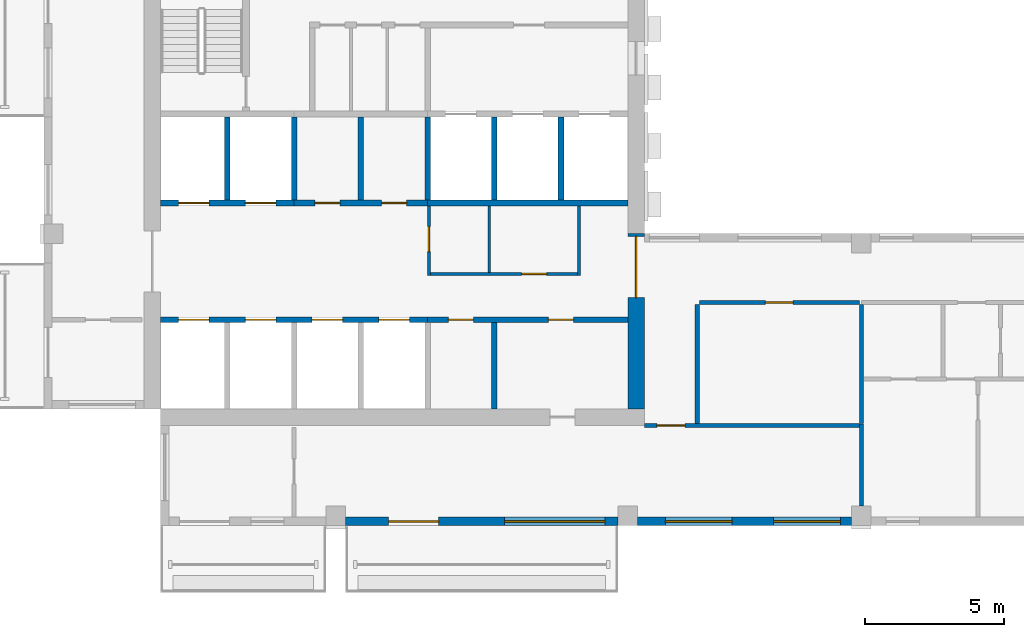
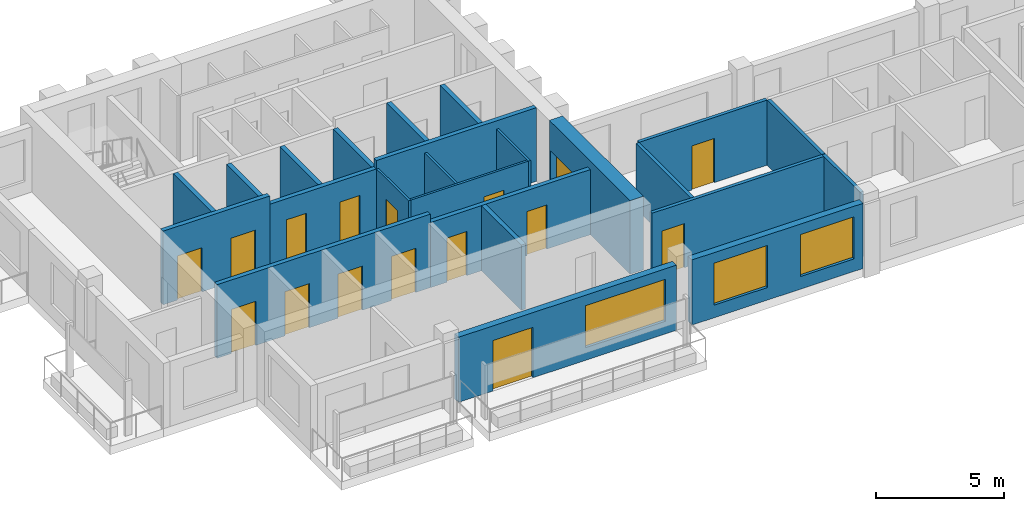
# One storey, part 2 of 9: 24 walls, 16 doors, 3 windows, 19 openings.
"""IFC4 building model written with IfcOpenShell, lengths in metres."""

import ifcopenshell
import ifcopenshell.guid

model = None  # the IFC model being written
_history = None  # IfcOwnerHistory: only IFC2X3 demands one
_inside = {}  # id of a spatial element -> (the spatial element, [elements in it])
_under = {}  # id of a project, library or spatial element -> (it, [spatial elements below it])
_declared = {}  # id of a project -> (the project, [libraries it declares])
_typed = {}  # id of a type object -> (the type object, [elements of that type])
_made_of = {}  # id of a material, layer set ... -> (it, [elements and type objects made of it])


def new_model(schema):
    """Start an empty IFC model of exactly this schema.

    Asked for "IFC4X3", IfcOpenShell would pick the latest addendum, in which some entities
    have other attributes; the version numbers below select the first issue.
    IFC2X3 requires an IfcOwnerHistory on every rooted entity: one is made here for all.
    """
    global model, _history
    if schema == "IFC4X3":
        model = ifcopenshell.file(schema_version=(4, 3, 0, 0))
    else:
        model = ifcopenshell.file(schema=schema)
    _inside.clear()
    _under.clear()
    _declared.clear()
    _typed.clear()
    _made_of.clear()
    _history = None
    if model.schema == "IFC2X3":
        org = make("IfcOrganization", Name="unknown")
        user = make(
            "IfcPersonAndOrganization",
            ThePerson=make("IfcPerson", FamilyName="unknown"),
            TheOrganization=org,
        )
        app = make(
            "IfcApplication",
            ApplicationDeveloper=org,
            Version="unknown",
            ApplicationFullName="unknown",
            ApplicationIdentifier="unknown",
        )
        _history = make(
            "IfcOwnerHistory",
            OwningUser=user,
            OwningApplication=app,
            ChangeAction="ADDED",
            CreationDate=0,
        )
    return model


def make(cls, **values):
    """One entity of the class cls with the attributes given. An attribute that is None is left unset."""
    return model.create_entity(
        cls, **{name: value for name, value in values.items() if value is not None}
    )


def rooted(cls, **values):
    """An entity with a GlobalId (a new one), such as an element, a storey or a relation."""
    return make(cls, GlobalId=ifcopenshell.guid.new(), OwnerHistory=_history, **values)


def si_unit(unit_type, name, prefix=None):
    """IfcSIUnit, for example si_unit("LENGTHUNIT", "METRE", prefix="MILLI")."""
    return make("IfcSIUnit", UnitType=unit_type, Prefix=prefix, Name=name)


def assignment(units):
    """IfcUnitAssignment: the units of a project."""
    return None if units is None else make("IfcUnitAssignment", Units=units)


def point(xyz):
    """IfcCartesianPoint."""
    return None if xyz is None else make("IfcCartesianPoint", Coordinates=xyz)


def direction(xyz):
    """IfcDirection."""
    return None if xyz is None else make("IfcDirection", DirectionRatios=xyz)


def frame(location, z_axis=None, x_axis=None):
    """IfcAxis2Placement3D, a coordinate frame: its origin and axes. An axis left out is left unset."""
    return make(
        "IfcAxis2Placement3D",
        Location=point(location),
        Axis=direction(z_axis),
        RefDirection=direction(x_axis),
    )


def frame_2d(location, x_axis=None):
    """IfcAxis2Placement2D, a coordinate frame in the plane: its origin and x axis."""
    return make(
        "IfcAxis2Placement2D", Location=point(location), RefDirection=direction(x_axis)
    )


def origin():
    """The frame at (0, 0, 0) with its axes left unset."""
    return frame((0.0, 0.0, 0.0))


def place(relative_to, where):
    """IfcLocalPlacement: puts the frame where relative to a parent placement (None: the world)."""
    return make(
        "IfcLocalPlacement", PlacementRelTo=relative_to, RelativePlacement=where
    )


def context(
    kind, dimensions, precision=None, world=None, true_north=None, identifier=None
):
    """IfcGeometricRepresentationContext, for example the 3D "Model" context."""
    return make(
        "IfcGeometricRepresentationContext",
        ContextIdentifier=identifier,
        ContextType=kind,
        CoordinateSpaceDimension=dimensions,
        Precision=precision,
        WorldCoordinateSystem=world,
        TrueNorth=true_north,
    )


def subcontext(parent, identifier, kind, view, scale=None):
    """IfcGeometricRepresentationSubContext, for example "Body" below "Model"."""
    return make(
        "IfcGeometricRepresentationSubContext",
        ContextIdentifier=identifier,
        ContextType=kind,
        ParentContext=parent,
        TargetScale=scale,
        TargetView=view,
    )


def project(units=None, contexts=None):
    """IfcProject with its units and contexts."""
    return rooted(
        "IfcProject",
        Name="project",
        RepresentationContexts=contexts,
        UnitsInContext=assignment(units),
    )


def spatial(cls, under=None, at=None, **own):
    """A site, building, storey or space (cls), placed at a placement, below another one or the project."""
    s = rooted(cls, ObjectPlacement=at, **own)
    if under is not None:
        _under.setdefault(under.id(), (under, []))[1].append(s)
    return s


def profile(cls, at=None, kind="AREA", **sizes):
    """A parametric profile (cls). Its sizes go by their IFC names, for example OverallWidth=200.0."""
    return make(cls, ProfileType=kind, Position=at, **sizes)


def rectangle(**sizes):
    """IfcRectangleProfileDef."""
    return profile("IfcRectangleProfileDef", **sizes)


def extrude(swept, where, along, depth):
    """IfcExtrudedAreaSolid: the profile swept, set in the frame where, extruded along a direction by depth."""
    return make(
        "IfcExtrudedAreaSolid",
        SweptArea=swept,
        Position=where,
        ExtrudedDirection=direction(along),
        Depth=depth,
    )


def shape(context_of_items, identifier, shape_type, items):
    """IfcShapeRepresentation: the items that make up one representation, for example the "Body"."""
    return make(
        "IfcShapeRepresentation",
        ContextOfItems=context_of_items,
        RepresentationIdentifier=identifier,
        RepresentationType=shape_type,
        Items=items,
    )


def source(mapping_origin, context_of_items, identifier, shape_type, items):
    """IfcRepresentationMap: a shape defined once, which mapped items show again and again."""
    return make(
        "IfcRepresentationMap",
        MappingOrigin=mapping_origin,
        MappedRepresentation=shape(context_of_items, identifier, shape_type, items),
    )


def transform(
    local_origin,
    x_axis=None,
    y_axis=None,
    z_axis=None,
    scale=None,
    scale2=None,
    scale3=None,
    uniform=True,
):
    """IfcCartesianTransformationOperator3D, or its non-uniform kind. x_axis, y_axis, z_axis: its Axis1, 2, 3."""
    if uniform:
        return make(
            "IfcCartesianTransformationOperator3D",
            Axis1=direction(x_axis),
            Axis2=direction(y_axis),
            LocalOrigin=point(local_origin),
            Scale=scale,
            Axis3=direction(z_axis),
        )
    return make(
        "IfcCartesianTransformationOperator3DnonUniform",
        Axis1=direction(x_axis),
        Axis2=direction(y_axis),
        LocalOrigin=point(local_origin),
        Scale=scale,
        Axis3=direction(z_axis),
        Scale2=scale2,
        Scale3=scale3,
    )


def mapped(mapping_source, mapping_target):
    """IfcMappedItem: shows the shape of a source again, moved by a transform."""
    return make(
        "IfcMappedItem", MappingSource=mapping_source, MappingTarget=mapping_target
    )


def material(Name=None, Category=None):
    """IfcMaterial."""
    return make("IfcMaterial", Name=Name, Category=Category)


def layer(
    of_material, thickness, ventilated=None, Name=None, Category=None, Priority=None
):
    """IfcMaterialLayer: one layer of a wall or slab, of a material (None: an air gap)."""
    return make(
        "IfcMaterialLayer",
        Material=of_material,
        LayerThickness=thickness,
        IsVentilated=ventilated,
        Name=Name,
        Category=Category,
        Priority=Priority,
    )


def layer_set(layers, Name=None):
    """IfcMaterialLayerSet."""
    return make("IfcMaterialLayerSet", MaterialLayers=layers, LayerSetName=Name)


def made_of(thing, what):
    """Note that an element or type object is made of a material, layer set ...; save() writes the relation."""
    if what is not None:
        _made_of.setdefault(what.id(), (what, []))[1].append(thing)
    return thing


def type_object(cls, material=None, **own):
    """A type object (cls), such as IfcWallType, which elements share."""
    return made_of(rooted(cls, **own), material)


def element(
    cls,
    number,
    at=None,
    inside=None,
    cuts=None,
    type_object=None,
    material=None,
    context=None,
    identifier="Body",
    shape_type=None,
    held_by="IfcProductDefinitionShape",
    body=None,
    shapes=None,
    **own,
):
    """One element of the class cls, such as IfcWall. Its Tag is "e" and its number.

    at: its placement. inside: the storey or other place that contains it. cuts: it is an
    opening in that element (IfcRelVoidsElement). A single representation is given by context,
    identifier, shape_type and body (its items); several are given by shapes. held_by: the class
    of the entity that holds the representations. save() writes the other relations.
    """
    e = rooted(cls, Tag="e%d" % number, ObjectPlacement=at, **own)
    if body is not None:
        shapes = [shape(context, identifier, shape_type, body)]
    if shapes is not None:
        e.Representation = make(held_by, Representations=shapes)
    if inside is not None:
        _inside.setdefault(inside.id(), (inside, []))[1].append(e)
    if cuts is not None:
        rooted(
            "IfcRelVoidsElement", RelatingBuildingElement=cuts, RelatedOpeningElement=e
        )
    if type_object is not None:
        _typed.setdefault(type_object.id(), (type_object, []))[1].append(e)
    return made_of(e, material)


def fill(opening, filler):
    """IfcRelFillsElement: the door or window that sits in an opening."""
    return rooted(
        "IfcRelFillsElement",
        RelatingOpeningElement=opening,
        RelatedBuildingElement=filler,
    )


def aggregate(whole, parts):
    """IfcRelAggregates: a whole, such as a stair, and the parts it consists of."""
    return rooted("IfcRelAggregates", RelatingObject=whole, RelatedObjects=parts)


def save(model, path):
    """Write the relations noted so far, then the file.

    IfcRelAggregates (storeys below a building ...), IfcRelContainedInSpatialStructure (elements
    in a storey), IfcRelDefinesByType, IfcRelAssociatesMaterial and IfcRelDeclares: one each for
    every whole, place, type object, material and project.
    """
    for whole, parts in _under.values():
        aggregate(whole, parts)
    for where, things in _inside.values():
        rooted(
            "IfcRelContainedInSpatialStructure",
            RelatedElements=things,
            RelatingStructure=where,
        )
    for kind, things in _typed.values():
        rooted("IfcRelDefinesByType", RelatedObjects=things, RelatingType=kind)
    for what, things in _made_of.values():
        rooted("IfcRelAssociatesMaterial", RelatedObjects=things, RelatingMaterial=what)
    for by, libraries in _declared.values():
        rooted("IfcRelDeclares", RelatingContext=by, RelatedDefinitions=libraries)
    model.write(path)


model = new_model("IFC4")

# Units and contexts
model_context = context("Model", 3, precision=1e-05, world=origin(), true_north=direction((0.0, 1.0)))
body_context = subcontext(model_context, "Body", "Model", "MODEL_VIEW")
ifc_project = project(units=[si_unit("LENGTHUNIT", "METRE"), si_unit("AREAUNIT", "SQUARE_METRE"), si_unit("VOLUMEUNIT", "CUBIC_METRE"), si_unit("PLANEANGLEUNIT", "RADIAN"), si_unit("MASSUNIT", "GRAM", prefix="KILO")], contexts=[model_context])

# Site, building, storey
site_placement = place(None, origin())
site = spatial("IfcSite", under=ifc_project, at=site_placement, CompositionType="ELEMENT")
building_placement = place(site_placement, origin())
building = spatial("IfcBuilding", under=site, at=building_placement, Name="Aurelian Terraces", CompositionType="ELEMENT")
storey_placement = place(building_placement, frame((0.0, 0.0, 312.5)))
storey = spatial("IfcBuildingStorey", under=building, at=storey_placement, Name="L72", CompositionType="ELEMENT", Elevation=312.5)

# Wall, opening, door
ifc_material_1 = material(Name="Concrete fc' 55 MPa", Category="concrete")
ifc_layer_1 = layer(ifc_material_1, 0.6)
ifc_layer_set_1 = layer_set([ifc_layer_1], Name="CORE WALL 600 FC55")
wall_type_1 = type_object("IfcWallType", Name="CORE WALL 600 FC55", PredefinedType="SHEAR", material=ifc_layer_set_1)
shared_shape_1 = source(origin(), body_context, "Body", "SweptSolid", [
    extrude(rectangle(XDim=6.3, YDim=0.6, at=frame_2d((3.15, 0.0))), origin(), (0.0, 0.0, 1.0), 3.5),
])
wall_1_placement = place(storey_placement, frame((21.3, 4.2, 0.0), z_axis=(0.0, 0.0, 1.0), x_axis=(0.0, 1.0, 0.0)))
wall_1 = element("IfcWall", 1, at=wall_1_placement, inside=storey, type_object=wall_type_1, Name="Core wall E L72", PredefinedType="SHEAR", context=body_context, shape_type="MappedRepresentation", body=[
    mapped(shared_shape_1, transform((0.0, 0.0, 0.0), scale=1.0)),
])
shared_shape_2 = source(origin(), body_context, "Body", "SweptSolid", [
    extrude(rectangle(XDim=2.2, YDim=2.1, at=frame_2d((1.1, 1.05))), frame((0.0, 0.31, 0.0), z_axis=(0.0, -1.0, 0.0), x_axis=(1.0, 0.0, 0.0)), (0.0, 0.0, 1.0), 0.62),
])
opening_1_placement = place(wall_1_placement, frame((4.0, 0.0, 0.0)))
opening_1 = element("IfcOpeningElement", 2, at=opening_1_placement, cuts=wall_1, Name="Opening 67531", PredefinedType="OPENING", context=body_context, shape_type="MappedRepresentation", body=[
    mapped(shared_shape_2, transform((0.0, 0.0, 0.0), scale=1.0)),
])
ifc_material_2 = material(Name="Steel door leaf", Category="steel")
door_type_1 = type_object("IfcDoorType", Name="Core double door 2200x2100", OperationType="DOUBLE_DOOR_SINGLE_SWING", PredefinedType="DOOR", material=ifc_material_2)
shared_shape_3 = source(origin(), body_context, "Body", "SweptSolid", [
    extrude(rectangle(XDim=2.2, YDim=2.1, at=frame_2d((1.1, 1.05))), frame((0.0, 0.025, 0.0), z_axis=(0.0, -1.0, 0.0), x_axis=(1.0, 0.0, 0.0)), (0.0, 0.0, 1.0), 0.05),
])
door_1_placement = place(opening_1_placement, origin())
door_1 = element("IfcDoor", 3, at=door_1_placement, inside=storey, type_object=door_type_1, Name="Core door 67531", OperationType="DOUBLE_DOOR_SINGLE_SWING", OverallHeight=2.1, OverallWidth=2.2, PredefinedType="DOOR", context=body_context, shape_type="MappedRepresentation", body=[
    mapped(shared_shape_3, transform((0.0, 0.0, 0.0), scale=1.0)),
])
fill(opening_1, door_1)

# Wall, openings, windows
ifc_material_3 = material(Name="Terracotta rainscreen cladding", Category="masonry")
ifc_layer_2 = layer(ifc_material_3, 0.3)
ifc_layer_set_2 = layer_set([ifc_layer_2], Name="EW-300")
wall_type_2 = type_object("IfcWallType", Name="EW-300", PredefinedType="STANDARD", material=ifc_layer_set_2)
shared_shape_4 = source(origin(), body_context, "Body", "SweptSolid", [
    extrude(rectangle(XDim=7.7, YDim=0.3, at=frame_2d((3.85, 0.0))), origin(), (0.0, 0.0, 1.0), 3.1),
])
wall_2_placement = place(storey_placement, frame((21.35, 0.15, 0.0), z_axis=(0.0, 0.0, 1.0), x_axis=(1.0, 0.0, 0.0)))
wall_2 = element("IfcWall", 4, at=wall_2_placement, inside=storey, type_object=wall_type_2, Name="External wall L72 F01.3", PredefinedType="STANDARD", context=body_context, shape_type="MappedRepresentation", body=[
    mapped(shared_shape_4, transform((0.0, 0.0, 0.0), scale=1.0)),
])
shared_shape_5 = source(origin(), body_context, "Body", "SweptSolid", [
    extrude(rectangle(XDim=2.4, YDim=2.0, at=frame_2d((1.2, 1.0))), frame((0.0, 0.16, 0.0), z_axis=(0.0, -1.0, 0.0), x_axis=(1.0, 0.0, 0.0)), (0.0, 0.0, 1.0), 0.32),
])
opening_2_placement = place(wall_2_placement, frame((1.0, 0.0, 0.6)))
opening_2 = element("IfcOpeningElement", 5, at=opening_2_placement, cuts=wall_2, Name="Opening W2420", PredefinedType="OPENING", context=body_context, shape_type="MappedRepresentation", body=[
    mapped(shared_shape_5, transform((0.0, 0.0, 0.0), scale=1.0)),
])
opening_3_placement = place(wall_2_placement, frame((4.9, 0.0, 0.6)))
opening_3 = element("IfcOpeningElement", 6, at=opening_3_placement, cuts=wall_2, Name="Opening W2420", PredefinedType="OPENING", context=body_context, shape_type="MappedRepresentation", body=[
    mapped(shared_shape_5, transform((0.0, 0.0, 0.0), scale=1.0)),
])
ifc_material_4 = material(Name="Clear glazing", Category="glass")
window_type_1 = type_object("IfcWindowType", Name="W-2400x2000", PartitioningType="SINGLE_PANEL", PredefinedType="WINDOW", material=ifc_material_4)
shared_shape_6 = source(origin(), body_context, "Body", "SweptSolid", [
    extrude(rectangle(XDim=2.4, YDim=2.0, at=frame_2d((1.2, 1.0))), frame((0.0, 0.03, 0.0), z_axis=(0.0, -1.0, 0.0), x_axis=(1.0, 0.0, 0.0)), (0.0, 0.0, 1.0), 0.06),
])
window_1_placement = place(opening_2_placement, origin())
window_1 = element("IfcWindow", 7, at=window_1_placement, inside=storey, type_object=window_type_1, Name="Window L72 L72-F01-03-1", OverallHeight=2.0, OverallWidth=2.4, PartitioningType="SINGLE_PANEL", PredefinedType="WINDOW", context=body_context, shape_type="MappedRepresentation", body=[
    mapped(shared_shape_6, transform((0.0, 0.0, 0.0), scale=1.0)),
])
fill(opening_2, window_1)
window_2_placement = place(opening_3_placement, origin())
window_2 = element("IfcWindow", 8, at=window_2_placement, inside=storey, type_object=window_type_1, Name="Window L72 L72-F01-03-2", OverallHeight=2.0, OverallWidth=2.4, PartitioningType="SINGLE_PANEL", PredefinedType="WINDOW", context=body_context, shape_type="MappedRepresentation", body=[
    mapped(shared_shape_6, transform((0.0, 0.0, 0.0), scale=1.0)),
])
fill(opening_3, window_2)

# Wall, openings, door, window
shared_shape_7 = source(origin(), body_context, "Body", "SweptSolid", [
    extrude(rectangle(XDim=9.8, YDim=0.3, at=frame_2d((4.9, 0.0))), origin(), (0.0, 0.0, 1.0), 3.1),
])
wall_3_placement = place(storey_placement, frame((10.85, 0.15, 0.0), z_axis=(0.0, 0.0, 1.0), x_axis=(1.0, 0.0, 0.0)))
wall_3 = element("IfcWall", 9, at=wall_3_placement, inside=storey, type_object=wall_type_2, Name="External wall L72 F01.2", PredefinedType="STANDARD", context=body_context, shape_type="MappedRepresentation", body=[
    mapped(shared_shape_7, transform((0.0, 0.0, 0.0), scale=1.0)),
])
shared_shape_8 = source(origin(), body_context, "Body", "SweptSolid", [
    extrude(rectangle(XDim=1.8, YDim=2.4, at=frame_2d((0.9, 1.2))), frame((0.0, 0.16, 0.0), z_axis=(0.0, -1.0, 0.0), x_axis=(1.0, 0.0, 0.0)), (0.0, 0.0, 1.0), 0.32),
])
opening_4_placement = place(wall_3_placement, frame((1.55, 0.0, 0.0)))
opening_4 = element("IfcOpeningElement", 10, at=opening_4_placement, cuts=wall_3, Name="Opening 87202", PredefinedType="OPENING", context=body_context, shape_type="MappedRepresentation", body=[
    mapped(shared_shape_8, transform((0.0, 0.0, 0.0), scale=1.0)),
])
shared_shape_9 = source(origin(), body_context, "Body", "SweptSolid", [
    extrude(rectangle(XDim=3.6, YDim=2.0, at=frame_2d((1.8, 1.0))), frame((0.0, 0.16, 0.0), z_axis=(0.0, -1.0, 0.0), x_axis=(1.0, 0.0, 0.0)), (0.0, 0.0, 1.0), 0.32),
])
opening_5_placement = place(wall_3_placement, frame((5.725, 0.0, 0.6)))
opening_5 = element("IfcOpeningElement", 11, at=opening_5_placement, cuts=wall_3, Name="Opening W3620", PredefinedType="OPENING", context=body_context, shape_type="MappedRepresentation", body=[
    mapped(shared_shape_9, transform((0.0, 0.0, 0.0), scale=1.0)),
])
door_type_2 = type_object("IfcDoorType", Name="BD-1800x2400", OperationType="SLIDING_TO_LEFT", PredefinedType="DOOR", material=ifc_material_4)
shared_shape_10 = source(origin(), body_context, "Body", "SweptSolid", [
    extrude(rectangle(XDim=1.8, YDim=2.4, at=frame_2d((0.9, 1.2))), frame((0.0, 0.025, 0.0), z_axis=(0.0, -1.0, 0.0), x_axis=(1.0, 0.0, 0.0)), (0.0, 0.0, 1.0), 0.05),
])
door_2_placement = place(opening_4_placement, origin())
door_2 = element("IfcDoor", 12, at=door_2_placement, inside=storey, type_object=door_type_2, Name="Balcony door L72 F01.2", OperationType="SLIDING_TO_LEFT", OverallHeight=2.4, OverallWidth=1.8, PredefinedType="DOOR", context=body_context, shape_type="MappedRepresentation", body=[
    mapped(shared_shape_10, transform((0.0, 0.0, 0.0), scale=1.0)),
])
fill(opening_4, door_2)
window_type_2 = type_object("IfcWindowType", Name="W-3600x2000", PartitioningType="SINGLE_PANEL", PredefinedType="WINDOW", material=ifc_material_4)
shared_shape_11 = source(origin(), body_context, "Body", "SweptSolid", [
    extrude(rectangle(XDim=3.6, YDim=2.0, at=frame_2d((1.8, 1.0))), frame((0.0, 0.03, 0.0), z_axis=(0.0, -1.0, 0.0), x_axis=(1.0, 0.0, 0.0)), (0.0, 0.0, 1.0), 0.06),
])
window_3_placement = place(opening_5_placement, origin())
window_3 = element("IfcWindow", 13, at=window_3_placement, inside=storey, type_object=window_type_2, Name="Window L72 L72-F01-02-1", OverallHeight=2.0, OverallWidth=3.6, PartitioningType="SINGLE_PANEL", PredefinedType="WINDOW", context=body_context, shape_type="MappedRepresentation", body=[
    mapped(shared_shape_11, transform((0.0, 0.0, 0.0), scale=1.0)),
])
fill(opening_5, window_3)

# Walls
ifc_material_5 = material(Name="Concrete fc' 40 MPa", Category="concrete")
ifc_layer_3 = layer(ifc_material_5, 0.2)
ifc_layer_set_3 = layer_set([ifc_layer_3], Name="Lift shaft wall 200")
wall_type_3 = type_object("IfcWallType", Name="Lift shaft wall 200", PredefinedType="SOLIDWALL", material=ifc_layer_set_3)
shared_shape_12 = source(origin(), body_context, "Body", "SweptSolid", [
    extrude(rectangle(XDim=3.0, YDim=0.2, at=frame_2d((1.5, 0.0))), origin(), (0.0, 0.0, 1.0), 3.1),
])
for number, where, z_axis, x_axis, name in (
    (14, (9.0, 11.7, 0.0), (0.0, 0.0, 1.0), (0.0, 1.0, 0.0), "L72 core wall CD-B2"),
    (15, (13.8, 11.7, 0.0), (0.0, 0.0, 1.0), (0.0, 1.0, 0.0), "L72 core wall CD-B4"),
):
    element("IfcWall", number, at=place(storey_placement, frame(where, z_axis=z_axis, x_axis=x_axis)), inside=storey, type_object=wall_type_3, Name=name, PredefinedType="SOLIDWALL", context=body_context, shape_type="MappedRepresentation", body=[
        mapped(shared_shape_12, transform((0.0, 0.0, 0.0), scale=1.0)),
    ])
shared_shape_13 = source(origin(), body_context, "Body", "SweptSolid", [
    extrude(rectangle(XDim=3.0, YDim=0.2, at=frame_2d((1.5, 0.0))), origin(), (0.0, 0.0, 1.0), 3.5),
])
for number, where, z_axis, x_axis, name in (
    (16, (6.6, 11.7, 0.0), (0.0, 0.0, 1.0), (0.0, 1.0, 0.0), "L72 core wall CD-B1"),
    (17, (16.2, 11.7, 0.0), (0.0, 0.0, 1.0), (0.0, 1.0, 0.0), "L72 core wall CD-B5"),
    (18, (18.6, 11.7, 0.0), (0.0, 0.0, 1.0), (0.0, 1.0, 0.0), "L72 core wall CD-B6"),
):
    element("IfcWall", number, at=place(storey_placement, frame(where, z_axis=z_axis, x_axis=x_axis)), inside=storey, type_object=wall_type_3, Name=name, PredefinedType="SOLIDWALL", context=body_context, shape_type="MappedRepresentation", body=[
        mapped(shared_shape_13, transform((0.0, 0.0, 0.0), scale=1.0)),
    ])

# Wall, openings, doors
shared_shape_14 = source(origin(), body_context, "Body", "SweptSolid", [
    extrude(rectangle(XDim=4.8, YDim=0.2, at=frame_2d((2.4, 0.0))), origin(), (0.0, 0.0, 1.0), 3.5),
])
wall_4_placement = place(storey_placement, frame((4.2, 11.6, 0.0), z_axis=(0.0, 0.0, 1.0), x_axis=(1.0, 0.0, 0.0)))
wall_4 = element("IfcWall", 19, at=wall_4_placement, inside=storey, type_object=wall_type_3, Name="L72 core wall CF-BF1", PredefinedType="SOLIDWALL", context=body_context, shape_type="MappedRepresentation", body=[
    mapped(shared_shape_14, transform((0.0, 0.0, 0.0), scale=1.0)),
])
shared_shape_15 = source(origin(), body_context, "Body", "SweptSolid", [
    extrude(rectangle(XDim=1.1, YDim=2.1, at=frame_2d((0.55, 1.05))), frame((0.0, 0.11, 0.0), z_axis=(0.0, -1.0, 0.0), x_axis=(1.0, 0.0, 0.0)), (0.0, 0.0, 1.0), 0.22),
])
opening_6_placement = place(wall_4_placement, frame((0.65, 0.0, 0.0)))
opening_6 = element("IfcOpeningElement", 20, at=opening_6_placement, cuts=wall_4, Name="Opening 67506", PredefinedType="OPENING", context=body_context, shape_type="MappedRepresentation", body=[
    mapped(shared_shape_15, transform((0.0, 0.0, 0.0), scale=1.0)),
])
opening_7_placement = place(wall_4_placement, frame((3.05, 0.0, 0.0)))
opening_7 = element("IfcOpeningElement", 21, at=opening_7_placement, cuts=wall_4, Name="Opening 67507", PredefinedType="OPENING", context=body_context, shape_type="MappedRepresentation", body=[
    mapped(shared_shape_15, transform((0.0, 0.0, 0.0), scale=1.0)),
])
ifc_material_6 = material(Name="Stainless steel", Category="steel")
door_type_3 = type_object("IfcDoorType", Name="Lift landing door 1100x2100", OperationType="SLIDING_TO_LEFT", PredefinedType="DOOR", material=ifc_material_6)
shared_shape_16 = source(origin(), body_context, "Body", "SweptSolid", [
    extrude(rectangle(XDim=1.1, YDim=2.1, at=frame_2d((0.55, 1.05))), frame((0.0, 0.025, 0.0), z_axis=(0.0, -1.0, 0.0), x_axis=(1.0, 0.0, 0.0)), (0.0, 0.0, 1.0), 0.05),
])
door_3_placement = place(opening_6_placement, origin())
door_3 = element("IfcDoor", 22, at=door_3_placement, inside=storey, type_object=door_type_3, Name="Lift landing door LH5 L72", OperationType="SLIDING_TO_LEFT", OverallHeight=2.1, OverallWidth=1.1, PredefinedType="DOOR", context=body_context, shape_type="MappedRepresentation", body=[
    mapped(shared_shape_16, transform((0.0, 0.0, 0.0), scale=1.0)),
])
fill(opening_6, door_3)
door_4_placement = place(opening_7_placement, origin())
door_4 = element("IfcDoor", 23, at=door_4_placement, inside=storey, type_object=door_type_3, Name="Lift landing door LH6 L72", OperationType="SLIDING_TO_LEFT", OverallHeight=2.1, OverallWidth=1.1, PredefinedType="DOOR", context=body_context, shape_type="MappedRepresentation", body=[
    mapped(shared_shape_16, transform((0.0, 0.0, 0.0), scale=1.0)),
])
fill(opening_7, door_4)

shared_shape_17 = source(origin(), body_context, "Body", "SweptSolid", [
    extrude(rectangle(XDim=4.8, YDim=0.2, at=frame_2d((2.4, 0.0))), origin(), (0.0, 0.0, 1.0), 3.1),
])
wall_5_placement = place(storey_placement, frame((9.0, 11.6, 0.0), z_axis=(0.0, 0.0, 1.0), x_axis=(1.0, 0.0, 0.0)))
wall_5 = element("IfcWall", 24, at=wall_5_placement, inside=storey, type_object=wall_type_3, Name="L72 core wall CF-BF2", PredefinedType="SOLIDWALL", context=body_context, shape_type="MappedRepresentation", body=[
    mapped(shared_shape_17, transform((0.0, 0.0, 0.0), scale=1.0)),
])
shared_shape_18 = source(origin(), body_context, "Body", "SweptSolid", [
    extrude(rectangle(XDim=0.9, YDim=2.1, at=frame_2d((0.45, 1.05))), frame((0.0, 0.11, 0.0), z_axis=(0.0, -1.0, 0.0), x_axis=(1.0, 0.0, 0.0)), (0.0, 0.0, 1.0), 0.22),
])
opening_8_placement = place(wall_5_placement, frame((0.75, 0.0, 0.0)))
opening_8 = element("IfcOpeningElement", 25, at=opening_8_placement, cuts=wall_5, Name="Opening 67508", PredefinedType="OPENING", context=body_context, shape_type="MappedRepresentation", body=[
    mapped(shared_shape_18, transform((0.0, 0.0, 0.0), scale=1.0)),
])
opening_9_placement = place(wall_5_placement, frame((3.15, 0.0, 0.0)))
opening_9 = element("IfcOpeningElement", 26, at=opening_9_placement, cuts=wall_5, Name="Opening 67509", PredefinedType="OPENING", context=body_context, shape_type="MappedRepresentation", body=[
    mapped(shared_shape_18, transform((0.0, 0.0, 0.0), scale=1.0)),
])
door_type_4 = type_object("IfcDoorType", Name="Core service door 900x2100 right", OperationType="SINGLE_SWING_RIGHT", PredefinedType="DOOR", material=ifc_material_2)
shared_shape_19 = source(origin(), body_context, "Body", "SweptSolid", [
    extrude(rectangle(XDim=0.9, YDim=2.1, at=frame_2d((0.45, 1.05))), frame((0.0, 0.025, 0.0), z_axis=(0.0, -1.0, 0.0), x_axis=(1.0, 0.0, 0.0)), (0.0, 0.0, 1.0), 0.05),
])
door_5_placement = place(opening_8_placement, origin())
door_5 = element("IfcDoor", 27, at=door_5_placement, inside=storey, type_object=door_type_4, Name="Room door 67508", OperationType="SINGLE_SWING_RIGHT", OverallHeight=2.1, OverallWidth=0.9, PredefinedType="DOOR", context=body_context, shape_type="MappedRepresentation", body=[
    mapped(shared_shape_19, transform((0.0, 0.0, 0.0), scale=1.0)),
])
fill(opening_8, door_5)
door_type_5 = type_object("IfcDoorType", Name="Core service door 900x2100", OperationType="SINGLE_SWING_LEFT", PredefinedType="DOOR", material=ifc_material_2)
door_6_placement = place(opening_9_placement, origin())
door_6 = element("IfcDoor", 28, at=door_6_placement, inside=storey, type_object=door_type_5, Name="Room door 67509", OperationType="SINGLE_SWING_LEFT", OverallHeight=2.1, OverallWidth=0.9, PredefinedType="DOOR", context=body_context, shape_type="MappedRepresentation", body=[
    mapped(shared_shape_19, transform((0.0, 0.0, 0.0), scale=1.0)),
])
fill(opening_9, door_6)

# Walls
shared_shape_20 = source(origin(), body_context, "Body", "SweptSolid", [
    extrude(rectangle(XDim=7.2, YDim=0.2, at=frame_2d((3.6, 0.0))), origin(), (0.0, 0.0, 1.0), 3.5),
])
wall_6_placement = place(storey_placement, frame((13.8, 11.6, 0.0), z_axis=(0.0, 0.0, 1.0), x_axis=(1.0, 0.0, 0.0)))
element("IfcWall", 29, at=wall_6_placement, inside=storey, type_object=wall_type_3, Name="L72 core wall CF-BF3", PredefinedType="SOLIDWALL", context=body_context, shape_type="MappedRepresentation", body=[
    mapped(shared_shape_20, transform((0.0, 0.0, 0.0), scale=1.0)),
])
ifc_material_7 = material(Name="Gypsum board on steel studs", Category="steel")
ifc_layer_4 = layer(ifc_material_7, 0.2)
ifc_layer_set_4 = layer_set([ifc_layer_4], Name="Core partition 200")
wall_type_4 = type_object("IfcWallType", Name="Core partition 200", PredefinedType="PARTITIONING", material=ifc_layer_set_4)
shared_shape_21 = source(origin(), body_context, "Body", "SweptSolid", [
    extrude(rectangle(XDim=3.0, YDim=0.2, at=frame_2d((1.5, 0.0))), origin(), (0.0, 0.0, 1.0), 3.1),
])
wall_7_placement = place(storey_placement, frame((11.4, 11.7, 0.0), z_axis=(0.0, 0.0, 1.0), x_axis=(0.0, 1.0, 0.0)))
element("IfcWall", 30, at=wall_7_placement, inside=storey, type_object=wall_type_4, Name="L72 core wall CS-B3", PredefinedType="PARTITIONING", context=body_context, shape_type="MappedRepresentation", body=[
    mapped(shared_shape_21, transform((0.0, 0.0, 0.0), scale=1.0)),
])
shared_shape_22 = source(origin(), body_context, "Body", "SweptSolid", [
    extrude(rectangle(XDim=3.1, YDim=0.2, at=frame_2d((1.55, 0.0))), origin(), (0.0, 0.0, 1.0), 3.1),
])
wall_8_placement = place(storey_placement, frame((16.2, 4.2, 0.0), z_axis=(0.0, 0.0, 1.0), x_axis=(0.0, 1.0, 0.0)))
element("IfcWall", 31, at=wall_8_placement, inside=storey, type_object=wall_type_4, Name="L72 core wall CS-A5", PredefinedType="PARTITIONING", context=body_context, shape_type="MappedRepresentation", body=[
    mapped(shared_shape_22, transform((0.0, 0.0, 0.0), scale=1.0)),
])

# Wall, openings, doors
shared_shape_23 = source(origin(), body_context, "Body", "SweptSolid", [
    extrude(rectangle(XDim=9.6, YDim=0.2, at=frame_2d((4.8, 0.0))), origin(), (0.0, 0.0, 1.0), 3.5),
])
wall_9_placement = place(storey_placement, frame((4.2, 7.4, 0.0), z_axis=(0.0, 0.0, 1.0), x_axis=(1.0, 0.0, 0.0)))
wall_9 = element("IfcWall", 32, at=wall_9_placement, inside=storey, type_object=wall_type_3, Name="L72 core wall CF-AF1", PredefinedType="SOLIDWALL", context=body_context, shape_type="MappedRepresentation", body=[
    mapped(shared_shape_23, transform((0.0, 0.0, 0.0), scale=1.0)),
])
opening_10_placement = place(wall_9_placement, frame((0.65, 0.0, 0.0)))
opening_10 = element("IfcOpeningElement", 33, at=opening_10_placement, cuts=wall_9, Name="Opening 67500", PredefinedType="OPENING", context=body_context, shape_type="MappedRepresentation", body=[
    mapped(shared_shape_15, transform((0.0, 0.0, 0.0), scale=1.0)),
])
opening_11_placement = place(wall_9_placement, frame((3.05, 0.0, 0.0)))
opening_11 = element("IfcOpeningElement", 34, at=opening_11_placement, cuts=wall_9, Name="Opening 67501", PredefinedType="OPENING", context=body_context, shape_type="MappedRepresentation", body=[
    mapped(shared_shape_15, transform((0.0, 0.0, 0.0), scale=1.0)),
])
opening_12_placement = place(wall_9_placement, frame((5.45, 0.0, 0.0)))
opening_12 = element("IfcOpeningElement", 35, at=opening_12_placement, cuts=wall_9, Name="Opening 67502", PredefinedType="OPENING", context=body_context, shape_type="MappedRepresentation", body=[
    mapped(shared_shape_15, transform((0.0, 0.0, 0.0), scale=1.0)),
])
opening_13_placement = place(wall_9_placement, frame((7.85, 0.0, 0.0)))
opening_13 = element("IfcOpeningElement", 36, at=opening_13_placement, cuts=wall_9, Name="Opening 67503", PredefinedType="OPENING", context=body_context, shape_type="MappedRepresentation", body=[
    mapped(shared_shape_15, transform((0.0, 0.0, 0.0), scale=1.0)),
])
door_7_placement = place(opening_10_placement, origin())
door_7 = element("IfcDoor", 37, at=door_7_placement, inside=storey, type_object=door_type_3, Name="Lift landing door LH1 L72", OperationType="SLIDING_TO_LEFT", OverallHeight=2.1, OverallWidth=1.1, PredefinedType="DOOR", context=body_context, shape_type="MappedRepresentation", body=[
    mapped(shared_shape_16, transform((0.0, 0.0, 0.0), scale=1.0)),
])
fill(opening_10, door_7)
door_8_placement = place(opening_11_placement, origin())
door_8 = element("IfcDoor", 38, at=door_8_placement, inside=storey, type_object=door_type_3, Name="Lift landing door LH2 L72", OperationType="SLIDING_TO_LEFT", OverallHeight=2.1, OverallWidth=1.1, PredefinedType="DOOR", context=body_context, shape_type="MappedRepresentation", body=[
    mapped(shared_shape_16, transform((0.0, 0.0, 0.0), scale=1.0)),
])
fill(opening_11, door_8)
door_9_placement = place(opening_12_placement, origin())
door_9 = element("IfcDoor", 39, at=door_9_placement, inside=storey, type_object=door_type_3, Name="Lift landing door LH3 L72", OperationType="SLIDING_TO_LEFT", OverallHeight=2.1, OverallWidth=1.1, PredefinedType="DOOR", context=body_context, shape_type="MappedRepresentation", body=[
    mapped(shared_shape_16, transform((0.0, 0.0, 0.0), scale=1.0)),
])
fill(opening_12, door_9)
door_10_placement = place(opening_13_placement, origin())
door_10 = element("IfcDoor", 40, at=door_10_placement, inside=storey, type_object=door_type_3, Name="Lift landing door LH4 L72", OperationType="SLIDING_TO_LEFT", OverallHeight=2.1, OverallWidth=1.1, PredefinedType="DOOR", context=body_context, shape_type="MappedRepresentation", body=[
    mapped(shared_shape_16, transform((0.0, 0.0, 0.0), scale=1.0)),
])
fill(opening_13, door_10)

shared_shape_24 = source(origin(), body_context, "Body", "SweptSolid", [
    extrude(rectangle(XDim=7.2, YDim=0.2, at=frame_2d((3.6, 0.0))), origin(), (0.0, 0.0, 1.0), 3.1),
])
wall_10_placement = place(storey_placement, frame((13.8, 7.4, 0.0), z_axis=(0.0, 0.0, 1.0), x_axis=(1.0, 0.0, 0.0)))
wall_10 = element("IfcWall", 41, at=wall_10_placement, inside=storey, type_object=wall_type_3, Name="L72 core wall CF-AF2", PredefinedType="SOLIDWALL", context=body_context, shape_type="MappedRepresentation", body=[
    mapped(shared_shape_24, transform((0.0, 0.0, 0.0), scale=1.0)),
])
opening_14_placement = place(wall_10_placement, frame((0.75, 0.0, 0.0)))
opening_14 = element("IfcOpeningElement", 42, at=opening_14_placement, cuts=wall_10, Name="Opening 67504", PredefinedType="OPENING", context=body_context, shape_type="MappedRepresentation", body=[
    mapped(shared_shape_18, transform((0.0, 0.0, 0.0), scale=1.0)),
])
opening_15_placement = place(wall_10_placement, frame((4.35, 0.0, 0.0)))
opening_15 = element("IfcOpeningElement", 43, at=opening_15_placement, cuts=wall_10, Name="Opening 67505", PredefinedType="OPENING", context=body_context, shape_type="MappedRepresentation", body=[
    mapped(shared_shape_18, transform((0.0, 0.0, 0.0), scale=1.0)),
])
door_11_placement = place(opening_14_placement, origin())
door_11 = element("IfcDoor", 44, at=door_11_placement, inside=storey, type_object=door_type_4, Name="Room door 67504", OperationType="SINGLE_SWING_RIGHT", OverallHeight=2.1, OverallWidth=0.9, PredefinedType="DOOR", context=body_context, shape_type="MappedRepresentation", body=[
    mapped(shared_shape_19, transform((0.0, 0.0, 0.0), scale=1.0)),
])
fill(opening_14, door_11)
door_12_placement = place(opening_15_placement, origin())
door_12 = element("IfcDoor", 45, at=door_12_placement, inside=storey, type_object=door_type_5, Name="Room door 67505", OperationType="SINGLE_SWING_LEFT", OverallHeight=2.1, OverallWidth=0.9, PredefinedType="DOOR", context=body_context, shape_type="MappedRepresentation", body=[
    mapped(shared_shape_19, transform((0.0, 0.0, 0.0), scale=1.0)),
])
fill(opening_15, door_12)

# Wall, opening, door
ifc_layer_5 = layer(ifc_material_7, 0.1)
ifc_layer_set_5 = layer_set([ifc_layer_5], Name="Core partition 100")
wall_type_5 = type_object("IfcWallType", Name="Core partition 100", PredefinedType="PARTITIONING", material=ifc_layer_set_5)
shared_shape_25 = source(origin(), body_context, "Body", "SweptSolid", [
    extrude(rectangle(XDim=2.5, YDim=0.1, at=frame_2d((1.25, 0.0))), origin(), (0.0, 0.0, 1.0), 3.1),
])
wall_11_placement = place(storey_placement, frame((13.85, 9.0, 0.0), z_axis=(0.0, 0.0, 1.0), x_axis=(0.0, 1.0, 0.0)))
wall_11 = element("IfcWall", 46, at=wall_11_placement, inside=storey, type_object=wall_type_5, Name="L72 core wall SV-EW", PredefinedType="PARTITIONING", context=body_context, shape_type="MappedRepresentation", body=[
    mapped(shared_shape_25, transform((0.0, 0.0, 0.0), scale=1.0)),
])
shared_shape_26 = source(origin(), body_context, "Body", "SweptSolid", [
    extrude(rectangle(XDim=0.9, YDim=2.1, at=frame_2d((0.45, 1.05))), frame((0.0, 0.06, 0.0), z_axis=(0.0, -1.0, 0.0), x_axis=(1.0, 0.0, 0.0)), (0.0, 0.0, 1.0), 0.12),
])
opening_16_placement = place(wall_11_placement, frame((0.85, 0.0, 0.0)))
opening_16 = element("IfcOpeningElement", 47, at=opening_16_placement, cuts=wall_11, Name="Opening 67524", PredefinedType="OPENING", context=body_context, shape_type="MappedRepresentation", body=[
    mapped(shared_shape_26, transform((0.0, 0.0, 0.0), scale=1.0)),
])
door_13_placement = place(opening_16_placement, origin())
door_13 = element("IfcDoor", 48, at=door_13_placement, inside=storey, type_object=door_type_4, Name="Room door 67524", OperationType="SINGLE_SWING_RIGHT", OverallHeight=2.1, OverallWidth=0.9, PredefinedType="DOOR", context=body_context, shape_type="MappedRepresentation", body=[
    mapped(shared_shape_19, transform((0.0, 0.0, 0.0), scale=1.0)),
])
fill(opening_16, door_13)

# Walls
wall_12_placement = place(storey_placement, frame((19.25, 9.0, 0.0), z_axis=(0.0, 0.0, 1.0), x_axis=(0.0, 1.0, 0.0)))
element("IfcWall", 49, at=wall_12_placement, inside=storey, type_object=wall_type_5, Name="L72 core wall SV-EE", PredefinedType="PARTITIONING", context=body_context, shape_type="MappedRepresentation", body=[
    mapped(shared_shape_25, transform((0.0, 0.0, 0.0), scale=1.0)),
])
shared_shape_27 = source(origin(), body_context, "Body", "SweptSolid", [
    extrude(rectangle(XDim=2.4, YDim=0.1, at=frame_2d((1.2, 0.0))), origin(), (0.0, 0.0, 1.0), 3.1),
])
wall_13_placement = place(storey_placement, frame((16.02, 9.1, 0.0), z_axis=(0.0, 0.0, 1.0), x_axis=(0.0, 1.0, 0.0)))
element("IfcWall", 50, at=wall_13_placement, inside=storey, type_object=wall_type_5, Name="L72 core wall SV-EP", PredefinedType="PARTITIONING", context=body_context, shape_type="MappedRepresentation", body=[
    mapped(shared_shape_27, transform((0.0, 0.0, 0.0), scale=1.0)),
])

# Wall, opening, door
shared_shape_28 = source(origin(), body_context, "Body", "SweptSolid", [
    extrude(rectangle(XDim=5.4, YDim=0.1, at=frame_2d((2.7, 0.0))), origin(), (0.0, 0.0, 1.0), 3.1),
])
wall_14_placement = place(storey_placement, frame((13.8, 9.05, 0.0), z_axis=(0.0, 0.0, 1.0), x_axis=(1.0, 0.0, 0.0)))
wall_14 = element("IfcWall", 51, at=wall_14_placement, inside=storey, type_object=wall_type_5, Name="L72 core wall SV-ES", PredefinedType="PARTITIONING", context=body_context, shape_type="MappedRepresentation", body=[
    mapped(shared_shape_28, transform((0.0, 0.0, 0.0), scale=1.0)),
])
opening_17_placement = place(wall_14_placement, frame((3.385, 0.0, 0.0)))
opening_17 = element("IfcOpeningElement", 52, at=opening_17_placement, cuts=wall_14, Name="Opening 67523", PredefinedType="OPENING", context=body_context, shape_type="MappedRepresentation", body=[
    mapped(shared_shape_26, transform((0.0, 0.0, 0.0), scale=1.0)),
])
door_14_placement = place(opening_17_placement, origin())
door_14 = element("IfcDoor", 53, at=door_14_placement, inside=storey, type_object=door_type_5, Name="Room door 67523", OperationType="SINGLE_SWING_LEFT", OverallHeight=2.1, OverallWidth=0.9, PredefinedType="DOOR", context=body_context, shape_type="MappedRepresentation", body=[
    mapped(shared_shape_19, transform((0.0, 0.0, 0.0), scale=1.0)),
])
fill(opening_17, door_14)

ifc_layer_6 = layer(ifc_material_7, 0.15)
ifc_layer_set_6 = layer_set([ifc_layer_6], Name="Fire partition 150")
wall_type_6 = type_object("IfcWallType", Name="Fire partition 150", PredefinedType="PARTITIONING", material=ifc_layer_set_6)
shared_shape_29 = source(origin(), body_context, "Body", "SweptSolid", [
    extrude(rectangle(XDim=5.75, YDim=0.15, at=frame_2d((2.875, 0.0))), origin(), (0.0, 0.0, 1.0), 3.1),
])
wall_15_placement = place(storey_placement, frame((29.325, 8.025, 0.0), z_axis=(0.0, 0.0, 1.0), x_axis=(-1.0, 0.0, 0.0)))
wall_15 = element("IfcWall", 54, at=wall_15_placement, inside=storey, type_object=wall_type_6, Name="Corridor wall", PredefinedType="PARTITIONING", context=body_context, shape_type="MappedRepresentation", body=[
    mapped(shared_shape_29, transform((0.0, 0.0, 0.0), scale=1.0)),
])
shared_shape_30 = source(origin(), body_context, "Body", "SweptSolid", [
    extrude(rectangle(XDim=1.0, YDim=2.1, at=frame_2d((0.5, 1.05))), frame((0.0, 0.085, 0.0), z_axis=(0.0, -1.0, 0.0), x_axis=(1.0, 0.0, 0.0)), (0.0, 0.0, 1.0), 0.17),
])
opening_18_placement = place(wall_15_placement, frame((2.375, 0.0, 0.0)))
opening_18 = element("IfcOpeningElement", 55, at=opening_18_placement, cuts=wall_15, Name="Opening 772001", PredefinedType="OPENING", context=body_context, shape_type="MappedRepresentation", body=[
    mapped(shared_shape_30, transform((0.0, 0.0, 0.0), scale=1.0)),
])
door_type_6 = type_object("IfcDoorType", Name="Entrance fire door 1000x2100 left", OperationType="SINGLE_SWING_LEFT", PredefinedType="DOOR", material=ifc_material_2)
shared_shape_31 = source(origin(), body_context, "Body", "SweptSolid", [
    extrude(rectangle(XDim=1.0, YDim=2.1, at=frame_2d((0.5, 1.05))), frame((0.0, 0.025, 0.0), z_axis=(0.0, -1.0, 0.0), x_axis=(1.0, 0.0, 0.0)), (0.0, 0.0, 1.0), 0.05),
])
door_15_placement = place(opening_18_placement, origin())
door_15 = element("IfcDoor", 56, at=door_15_placement, inside=storey, type_object=door_type_6, Name="Door 772001", OperationType="SINGLE_SWING_LEFT", OverallHeight=2.1, OverallWidth=1.0, PredefinedType="DOOR", context=body_context, shape_type="MappedRepresentation", body=[
    mapped(shared_shape_31, transform((0.0, 0.0, 0.0), scale=1.0)),
])
fill(opening_18, door_15)

ifc_layer_7 = layer(ifc_material_7, 0.15)
ifc_layer_set_7 = layer_set([ifc_layer_7], Name="Partition 150")
wall_type_7 = type_object("IfcWallType", Name="Partition 150", PredefinedType="PARTITIONING", material=ifc_layer_set_7)
shared_shape_32 = source(origin(), body_context, "Body", "SweptSolid", [
    extrude(rectangle(XDim=7.725, YDim=0.15, at=frame_2d((3.8625, 0.0))), origin(), (0.0, 0.0, 1.0), 3.1),
])
wall_16_placement = place(storey_placement, frame((21.6, 3.6, 0.0), z_axis=(0.0, 0.0, 1.0), x_axis=(1.0, 0.0, 0.0)))
wall_16 = element("IfcWall", 57, at=wall_16_placement, inside=storey, type_object=wall_type_7, Name="Partition", PredefinedType="PARTITIONING", context=body_context, shape_type="MappedRepresentation", body=[
    mapped(shared_shape_32, transform((0.0, 0.0, 0.0), scale=1.0)),
])
opening_19_placement = place(wall_16_placement, frame((0.45, 0.0, 0.0)))
opening_19 = element("IfcOpeningElement", 58, at=opening_19_placement, cuts=wall_16, Name="Opening 772003", PredefinedType="OPENING", context=body_context, shape_type="MappedRepresentation", body=[
    mapped(shared_shape_30, transform((0.0, 0.0, 0.0), scale=1.0)),
])
ifc_material_8 = material(Name="Timber door leaf", Category="wood")
door_type_7 = type_object("IfcDoorType", Name="Room door 1000x2100 right", OperationType="SINGLE_SWING_RIGHT", PredefinedType="DOOR", material=ifc_material_8)
door_16_placement = place(opening_19_placement, origin())
door_16 = element("IfcDoor", 59, at=door_16_placement, inside=storey, type_object=door_type_7, Name="Door 772003", OperationType="SINGLE_SWING_RIGHT", OverallHeight=2.1, OverallWidth=1.0, PredefinedType="DOOR", context=body_context, shape_type="MappedRepresentation", body=[
    mapped(shared_shape_31, transform((0.0, 0.0, 0.0), scale=1.0)),
])
fill(opening_19, door_16)

# Walls
shared_shape_33 = source(origin(), body_context, "Body", "SweptSolid", [
    extrude(rectangle(XDim=2.956, YDim=0.15, at=frame_2d((1.478, 0.0))), origin(), (0.0, 0.0, 1.0), 3.1),
])
wall_17_placement = place(storey_placement, frame((29.4, 0.699, 0.0), z_axis=(0.0, 0.0, 1.0), x_axis=(0.0, 1.0, 0.0)))
element("IfcWall", 60, at=wall_17_placement, inside=storey, type_object=wall_type_6, Name="Party wall", PredefinedType="PARTITIONING", context=body_context, shape_type="MappedRepresentation", body=[
    mapped(shared_shape_33, transform((0.0, 0.0, 0.0), scale=1.0)),
])
shared_shape_34 = source(origin(), body_context, "Body", "SweptSolid", [
    extrude(rectangle(XDim=4.275, YDim=0.15, at=frame_2d((2.1375, 0.0))), origin(), (0.0, 0.0, 1.0), 3.1),
])
for number, where, z_axis, x_axis, name in (
    (61, (23.5, 7.95, 0.0), (0.0, 0.0, 1.0), (0.0, -1.0, 0.0), "Partition"),
    (62, (29.4, 3.675, 0.0), (0.0, 0.0, 1.0), (0.0, 1.0, 0.0), "Partition"),
):
    element("IfcWall", number, at=place(storey_placement, frame(where, z_axis=z_axis, x_axis=x_axis)), inside=storey, type_object=wall_type_7, Name=name, PredefinedType="PARTITIONING", context=body_context, shape_type="MappedRepresentation", body=[
        mapped(shared_shape_34, transform((0.0, 0.0, 0.0), scale=1.0)),
    ])

save(model, "model.ifc")
